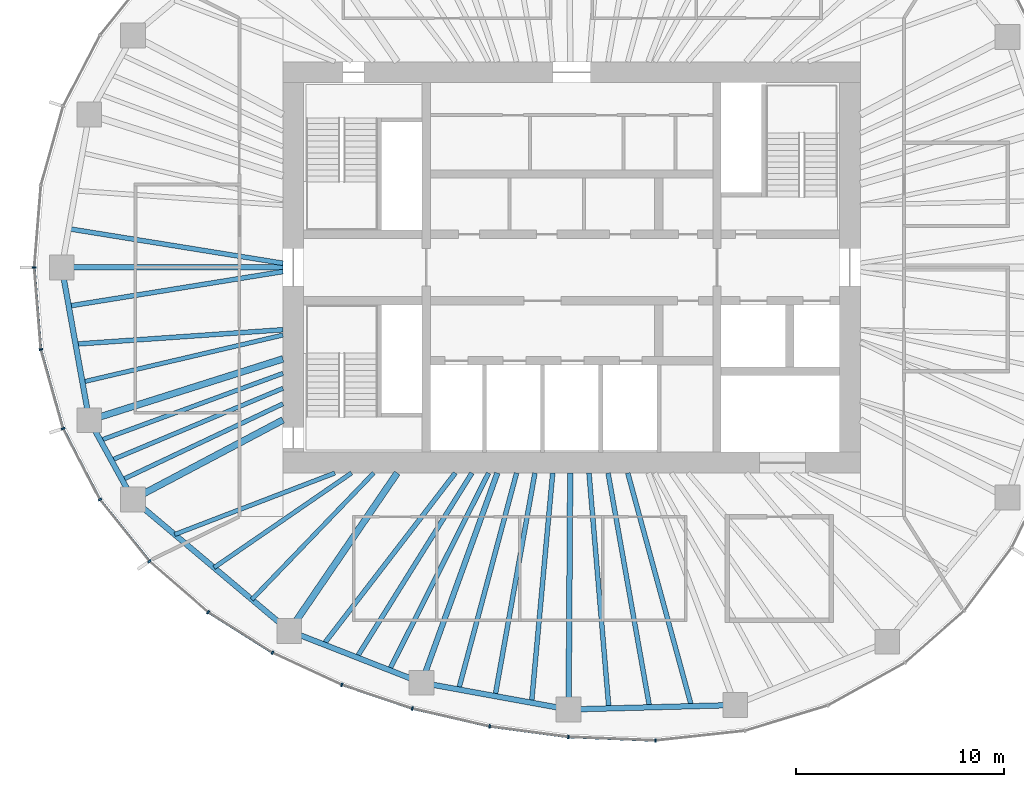
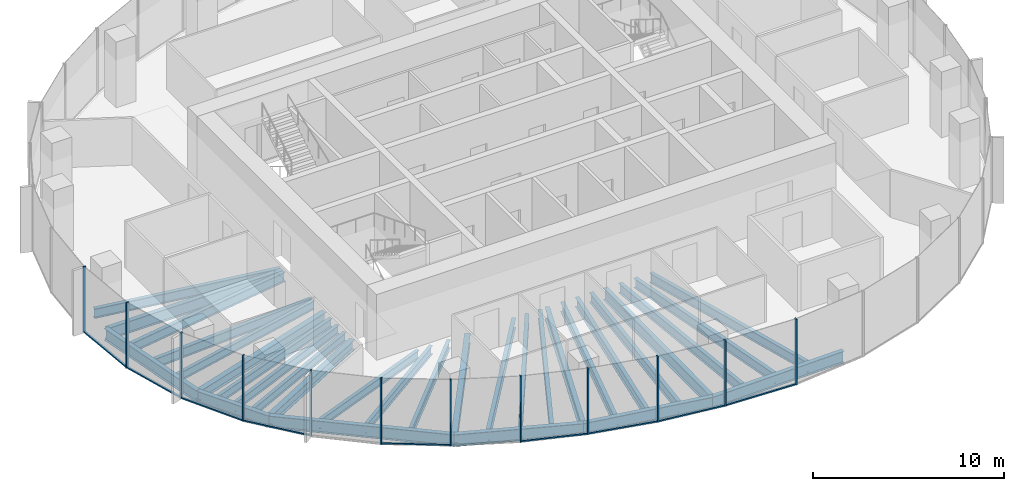
# One storey, part 2 of 11: 31 beams, 21 members, 6 elements without a shape of their own.
"""IFC4 building model written with IfcOpenShell, lengths in metres."""

from ifc_helpers import new_model, si_unit, direction, frame, origin, origin_2d, place, context, subcontext, project, spatial, rectangle, i_section, extrude, material, material_profile, profile_set, type_object, element, aggregate, save


model = new_model("IFC4")

# Units and contexts
model_context = context("Model", 3, precision=1e-05, world=origin(), true_north=direction((0.0, 1.0)))
body_context = subcontext(model_context, "Body", "Model", "MODEL_VIEW")
ifc_project = project(units=[si_unit("LENGTHUNIT", "METRE"), si_unit("AREAUNIT", "SQUARE_METRE"), si_unit("VOLUMEUNIT", "CUBIC_METRE"), si_unit("PLANEANGLEUNIT", "RADIAN"), si_unit("MASSUNIT", "GRAM", prefix="KILO")], contexts=[model_context])

# Site, building, storey
site_placement = place(None, origin())
site = spatial("IfcSite", under=ifc_project, at=site_placement, CompositionType="ELEMENT")
building_placement = place(site_placement, origin())
building = spatial("IfcBuilding", under=site, at=building_placement, Name="Ghaith Harvest Tower", CompositionType="ELEMENT")
storey_placement = place(building_placement, frame((0.0, 0.0, 275.39990234375)))
storey = spatial("IfcBuildingStorey", under=building, at=storey_placement, Name="L61", CompositionType="ELEMENT", Elevation=275.39990234375)

# Curtain wall, members
ifc_material_1 = material(Name="Black anodised aluminium and fritted glass", Category="aluminium")
curtain_wall_type = type_object("IfcCurtainWallType", Name="CW-T CURTAIN WALL", PredefinedType="NOTDEFINED", material=ifc_material_1)
curtain_wall_1_placement = place(storey_placement, origin())
curtain_wall_1 = element("IfcCurtainWall", 1, at=curtain_wall_1_placement, inside=storey, type_object=curtain_wall_type, Name="Curtain wall CW-T bay 11 L61", PredefinedType="NOTDEFINED")
ifc_material_2 = material(Name="Aluminium, black anodised", Category="aluminium")
ifc_material_profile_1 = material_profile(ifc_material_2, rectangle(XDim=0.080078125, YDim=0.179931640625, at=origin_2d()), Name="CW-T MULLION 80x180")
ifc_profile_set_1 = profile_set([ifc_material_profile_1], Name="Aluminium, black anodised")
member_type_1 = type_object("IfcMemberType", Name="CW-T MULLION 80x180", PredefinedType="MULLION", material=ifc_profile_set_1)
member_1_placement = place(storey_placement, frame((-25.8701171875, 0.0, 0.0), z_axis=(0.0, 0.0, 1.0), x_axis=(-1.05e-10, -1.0, 0.0)))
member_1 = element("IfcMember", 2, at=member_1_placement, type_object=member_type_1, Name="CW-T mullion 1 bay 11 L61", PredefinedType="MULLION", context=body_context, shape_type="SweptSolid", body=[
    extrude(rectangle(XDim=0.080078125, YDim=0.179931640625, at=origin_2d()), origin(), (0.0, 0.0, 1.0), 4.2001953125),
])
member_2_placement = place(storey_placement, frame((-25.5517578125, -3.9521484375, 0.0), z_axis=(0.0, 0.0, 1.0), x_axis=(0.176001391003, -0.98438991785, 0.0)))
member_2 = element("IfcMember", 3, at=member_2_placement, type_object=member_type_1, Name="CW-T mullion 2 bay 11 L61", PredefinedType="MULLION", context=body_context, shape_type="SweptSolid", body=[
    extrude(rectangle(XDim=0.080078125, YDim=0.179931640625, at=origin_2d()), origin(), (0.0, 0.0, 1.0), 4.2001953125),
])

curtain_wall_2_placement = place(storey_placement, origin())
curtain_wall_2 = element("IfcCurtainWall", 4, at=curtain_wall_2_placement, inside=storey, type_object=curtain_wall_type, Name="Curtain wall CW-T bay 12 L61", PredefinedType="NOTDEFINED")
member_3_placement = place(storey_placement, frame((-24.482666015625, -7.759033203125, 0.0), z_axis=(0.0, 0.0, 1.0), x_axis=(0.366473104734, -0.930428645038, 0.0)))
member_3 = element("IfcMember", 5, at=member_3_placement, type_object=member_type_1, Name="CW-T mullion 1 bay 12 L61", PredefinedType="MULLION", context=body_context, shape_type="SweptSolid", body=[
    extrude(rectangle(XDim=0.080078125, YDim=0.179931640625, at=origin_2d()), origin(), (0.0, 0.0, 1.0), 4.2001953125),
])
member_4_placement = place(storey_placement, frame((-22.706298828125, -11.176513671875, 0.0), z_axis=(0.0, 0.0, 1.0), x_axis=(0.545865412431, -0.837872873121, 0.0)))
member_4 = element("IfcMember", 6, at=member_4_placement, type_object=member_type_1, Name="CW-T mullion 2 bay 12 L61", PredefinedType="MULLION", context=body_context, shape_type="SweptSolid", body=[
    extrude(rectangle(XDim=0.080078125, YDim=0.179931640625, at=origin_2d()), origin(), (0.0, 0.0, 1.0), 4.2001953125),
])

curtain_wall_3_placement = place(storey_placement, origin())
curtain_wall_3 = element("IfcCurtainWall", 7, at=curtain_wall_3_placement, inside=storey, type_object=curtain_wall_type, Name="Curtain wall CW-T bay 13 L61", PredefinedType="NOTDEFINED")
member_5_placement = place(storey_placement, frame((-20.324462890625, -14.141845703125, 0.0), z_axis=(0.0, 0.0, 1.0), x_axis=(0.692826491831, -0.721104328248, 0.0)))
member_5 = element("IfcMember", 8, at=member_5_placement, type_object=member_type_1, Name="CW-T mullion 1 bay 13 L61", PredefinedType="MULLION", context=body_context, shape_type="SweptSolid", body=[
    extrude(rectangle(XDim=0.080078125, YDim=0.179931640625, at=origin_2d()), origin(), (0.0, 0.0, 1.0), 4.2001953125),
])
member_6_placement = place(storey_placement, frame((-17.49462890625, -16.600830078125, 0.0), z_axis=(0.0, 0.0, 1.0), x_axis=(0.802189888845, -0.59706899286, 0.0)))
member_6 = element("IfcMember", 9, at=member_6_placement, type_object=member_type_1, Name="CW-T mullion 2 bay 13 L61", PredefinedType="MULLION", context=body_context, shape_type="SweptSolid", body=[
    extrude(rectangle(XDim=0.080078125, YDim=0.179931640625, at=origin_2d()), origin(), (0.0, 0.0, 1.0), 4.2001953125),
])

curtain_wall_4_placement = place(storey_placement, origin())
curtain_wall_4 = element("IfcCurtainWall", 10, at=curtain_wall_4_placement, inside=storey, type_object=curtain_wall_type, Name="Curtain wall CW-T bay 14 L61", PredefinedType="NOTDEFINED")
member_7_placement = place(storey_placement, frame((-14.40478515625, -18.5478515625, 0.0), z_axis=(0.0, 0.0, 1.0), x_axis=(0.878671732732, -0.477426419564, 0.0)))
member_7 = element("IfcMember", 11, at=member_7_placement, type_object=member_type_1, Name="CW-T mullion 1 bay 14 L61", PredefinedType="MULLION", context=body_context, shape_type="SweptSolid", body=[
    extrude(rectangle(XDim=0.080078125, YDim=0.179931640625, at=origin_2d()), origin(), (0.0, 0.0, 1.0), 4.2001953125),
])
member_8_placement = place(storey_placement, frame((-11.0673828125, -20.093017578125, 0.0), z_axis=(0.0, 0.0, 1.0), x_axis=(0.92862442092, -0.371021138038, 0.0)))
member_8 = element("IfcMember", 12, at=member_8_placement, type_object=member_type_1, Name="CW-T mullion 2 bay 14 L61", PredefinedType="MULLION", context=body_context, shape_type="SweptSolid", body=[
    extrude(rectangle(XDim=0.080078125, YDim=0.179931640625, at=origin_2d()), origin(), (0.0, 0.0, 1.0), 4.2001953125),
])

curtain_wall_5_placement = place(storey_placement, origin())
curtain_wall_5 = element("IfcCurtainWall", 13, at=curtain_wall_5_placement, inside=storey, type_object=curtain_wall_type, Name="Curtain wall CW-T bay 15 L61", PredefinedType="NOTDEFINED")
member_9_placement = place(storey_placement, frame((-7.6708984375, -21.23828125, 0.0), z_axis=(0.0, 0.0, 1.0), x_axis=(0.962552491659, -0.271095372151, 0.0)))
member_9 = element("IfcMember", 14, at=member_9_placement, type_object=member_type_1, Name="CW-T mullion 1 bay 15 L61", PredefinedType="MULLION", context=body_context, shape_type="SweptSolid", body=[
    extrude(rectangle(XDim=0.080078125, YDim=0.179931640625, at=origin_2d()), origin(), (0.0, 0.0, 1.0), 4.2001953125),
])
member_10_placement = place(storey_placement, frame((-3.946533203125, -22.0986328125, 0.0), z_axis=(0.0, 0.0, 1.0), x_axis=(0.983843447712, -0.179030920217, 0.0)))
member_10 = element("IfcMember", 15, at=member_10_placement, type_object=member_type_1, Name="CW-T mullion 2 bay 15 L61", PredefinedType="MULLION", context=body_context, shape_type="SweptSolid", body=[
    extrude(rectangle(XDim=0.080078125, YDim=0.179931640625, at=origin_2d()), origin(), (0.0, 0.0, 1.0), 4.2001953125),
])

curtain_wall_6_placement = place(storey_placement, origin())
curtain_wall_6 = element("IfcCurtainWall", 16, at=curtain_wall_6_placement, inside=storey, type_object=curtain_wall_type, Name="Curtain wall CW-T bay 16 L61", PredefinedType="NOTDEFINED")
member_11_placement = place(storey_placement, frame((-0.15478515625, -22.60595703125, 0.0), z_axis=(0.0, 0.0, 1.0), x_axis=(0.996414855524, -0.084601629366, 0.0)))
member_11 = element("IfcMember", 17, at=member_11_placement, type_object=member_type_1, Name="CW-T mullion 1 bay 16 L61", PredefinedType="MULLION", context=body_context, shape_type="SweptSolid", body=[
    extrude(rectangle(XDim=0.080078125, YDim=0.179931640625, at=origin_2d()), origin(), (0.0, 0.0, 1.0), 4.2001953125),
])
member_12_placement = place(storey_placement, frame((4.037841796875, -22.776611328125, 0.0), z_axis=(0.0, 0.0, 1.0), x_axis=(0.999388631241, 0.034962318939, 0.0)))
member_12 = element("IfcMember", 18, at=member_12_placement, type_object=member_type_1, Name="CW-T mullion 2 bay 16 L61", PredefinedType="MULLION", context=body_context, shape_type="SweptSolid", body=[
    extrude(rectangle(XDim=0.080078125, YDim=0.179931640625, at=origin_2d()), origin(), (0.0, 0.0, 1.0), 4.2001953125),
])

# Member
ifc_material_3 = material(Name="Aluminium, black anodised", Category="aluminium")
ifc_material_profile_2 = material_profile(ifc_material_3, rectangle(XDim=0.1201171875, YDim=0.080078125, at=origin_2d()), Name="CW-T TRANSOM 120x80")
ifc_profile_set_2 = profile_set([ifc_material_profile_2], Name="Aluminium, black anodised")
member_type_2 = type_object("IfcMemberType", Name="CW-T TRANSOM 120x80", PredefinedType="USERDEFINED", material=ifc_profile_set_2)
member_13_placement = place(storey_placement, frame((-25.86669921875, -0.039794921875, 0.0400390625), z_axis=(0.08025226314, -0.996774585481, 0.0), x_axis=(0.996774585481, 0.08025226314, 0.0)))
member_13 = element("IfcMember", 19, at=member_13_placement, type_object=member_type_2, Name="CW-T transom 1 bay 11 L61", ObjectType="TRANSOM", PredefinedType="USERDEFINED", context=body_context, shape_type="SweptSolid", body=[
    extrude(rectangle(XDim=0.1201171875, YDim=0.080078125, at=origin_2d()), origin(), (0.0, 0.0, 1.0), 3.884765625),
])

member_14_placement = place(storey_placement, frame((-25.541015625, -3.990478515625, 0.0400390625), z_axis=(0.270340422972, -0.962764797709, 0.0), x_axis=(0.962764797709, 0.270340422972, 0.0)))
member_14 = element("IfcMember", 20, at=member_14_placement, type_object=member_type_2, Name="CW-T transom 2 bay 11 L61", ObjectType="TRANSOM", PredefinedType="USERDEFINED", context=body_context, shape_type="SweptSolid", body=[
    extrude(rectangle(XDim=0.1201171875, YDim=0.080078125, at=origin_2d()), origin(), (0.0, 0.0, 1.0), 3.874267578125),
])

aggregate(curtain_wall_1, [member_1, member_13, member_2, member_14])

member_15_placement = place(storey_placement, frame((-24.46435546875, -7.79443359375, 0.0400390625), z_axis=(0.461242681347, -0.887274021317, 0.0), x_axis=(0.887274021317, 0.461242681347, 0.0)))
member_15 = element("IfcMember", 21, at=member_15_placement, type_object=member_type_2, Name="CW-T transom 1 bay 12 L61", ObjectType="TRANSOM", PredefinedType="USERDEFINED", context=body_context, shape_type="SweptSolid", body=[
    extrude(rectangle(XDim=0.1201171875, YDim=0.080078125, at=origin_2d()), origin(), (0.0, 0.0, 1.0), 3.77197265625),
])

member_16_placement = place(storey_placement, frame((-22.68115234375, -11.207763671875, 0.0400390625), z_axis=(0.626253073761, -0.779619835307, 0.0), x_axis=(0.779619835307, 0.626253073761, 0.0)))
member_16 = element("IfcMember", 22, at=member_16_placement, type_object=member_type_2, Name="CW-T transom 2 bay 12 L61", ObjectType="TRANSOM", PredefinedType="USERDEFINED", context=body_context, shape_type="SweptSolid", body=[
    extrude(rectangle(XDim=0.1201171875, YDim=0.080078125, at=origin_2d()), origin(), (0.0, 0.0, 1.0), 3.723388671875),
])

aggregate(curtain_wall_2, [member_3, member_15, member_4, member_16])

member_17_placement = place(storey_placement, frame((-17.4609375, -16.6220703125, 0.0400390625), z_axis=(0.846053602505, -0.533097835006, 0.0), x_axis=(0.533097835006, 0.846053602505, 0.0)))
member_17 = element("IfcMember", 23, at=member_17_placement, type_object=member_type_2, Name="CW-T transom 2 bay 13 L61", ObjectType="TRANSOM", PredefinedType="USERDEFINED", context=body_context, shape_type="SweptSolid", body=[
    extrude(rectangle(XDim=0.1201171875, YDim=0.080078125, at=origin_2d()), origin(), (0.0, 0.0, 1.0), 3.572021484375),
])

aggregate(curtain_wall_3, [member_5, member_6, member_17])

member_18_placement = place(storey_placement, frame((-11.029541015625, -20.105712890625, 0.0400390625), z_axis=(0.9475698206, -0.319548799228, 0.0), x_axis=(0.319548799228, 0.9475698206, 0.0)))
member_18 = element("IfcMember", 24, at=member_18_placement, type_object=member_type_2, Name="CW-T transom 2 bay 14 L61", ObjectType="TRANSOM", PredefinedType="USERDEFINED", context=body_context, shape_type="SweptSolid", body=[
    extrude(rectangle(XDim=0.1201171875, YDim=0.080078125, at=origin_2d()), origin(), (0.0, 0.0, 1.0), 3.504638671875),
])

aggregate(curtain_wall_4, [member_7, member_8, member_18])

member_19_placement = place(storey_placement, frame((-7.6318359375, -21.247314453125, 0.0400390625), z_axis=(0.974344997799, -0.225059603803, 0.0), x_axis=(0.225059603803, 0.974344997799, 0.0)))
member_19 = element("IfcMember", 25, at=member_19_placement, type_object=member_type_2, Name="CW-T transom 1 bay 15 L61", ObjectType="TRANSOM", PredefinedType="USERDEFINED", context=body_context, shape_type="SweptSolid", body=[
    extrude(rectangle(XDim=0.1201171875, YDim=0.080078125, at=origin_2d()), origin(), (0.0, 0.0, 1.0), 3.742431640625),
])

member_20_placement = place(storey_placement, frame((-3.90673828125, -22.10400390625, 0.0400390625), z_axis=(0.99117202259, -0.132582131655, 0.0), x_axis=(0.132582131655, 0.99117202259, 0.0)))
member_20 = element("IfcMember", 26, at=member_20_placement, type_object=member_type_2, Name="CW-T transom 2 bay 15 L61", ObjectType="TRANSOM", PredefinedType="USERDEFINED", context=body_context, shape_type="SweptSolid", body=[
    extrude(rectangle(XDim=0.1201171875, YDim=0.080078125, at=origin_2d()), origin(), (0.0, 0.0, 1.0), 3.745361328125),
])

aggregate(curtain_wall_5, [member_9, member_19, member_10, member_20])

member_21_placement = place(storey_placement, frame((-0.11474609375, -22.607666015625, 0.0400390625), z_axis=(0.999174207562, -0.040631304968, 0.0), x_axis=(0.040631304968, 0.999174207562, 0.0)))
member_21 = element("IfcMember", 27, at=member_21_placement, type_object=member_type_2, Name="CW-T transom 1 bay 16 L61", ObjectType="TRANSOM", PredefinedType="USERDEFINED", context=body_context, shape_type="SweptSolid", body=[
    extrude(rectangle(XDim=0.1201171875, YDim=0.080078125, at=origin_2d()), origin(), (0.0, 0.0, 1.0), 4.115966796875),
])

aggregate(curtain_wall_6, [member_11, member_21, member_12])

# Beams
ifc_material_4 = material(Name="Steel ASTM A992 Grade 50", Category="steel")
ifc_material_profile_3 = material_profile(ifc_material_4, i_section(OverallWidth=0.26611328125, OverallDepth=0.758056640625, WebThickness=0.013916015625, FlangeThickness=0.019287109375, at=origin_2d()), Name="W760X161")
ifc_profile_set_3 = profile_set([ifc_material_profile_3], Name="Steel ASTM A992 Grade 50")
beam_type_1 = type_object("IfcBeamType", Name="E760-161 W760X161", PredefinedType="SPANDREL", material=ifc_profile_set_3)
beam_1_placement = place(storey_placement, frame((-24.550048828125, 0.0, -0.548828125), z_axis=(0.177296554745, -0.984157473007, 0.0), x_axis=(0.984157473007, 0.177296554745, 0.0)))
element("IfcBeam", 28, at=beam_1_placement, inside=storey, type_object=beam_type_1, Name="Edge beam E11 L61", PredefinedType="SPANDREL", context=body_context, shape_type="SweptSolid", body=[
    extrude(i_section(OverallWidth=0.26611328125, OverallDepth=0.758056640625, WebThickness=0.013916015625, FlangeThickness=0.019287109375, at=origin_2d()), origin(), (0.0, 0.0, 1.0), 7.478515625),
])
beam_2_placement = place(storey_placement, frame((-23.22412109375, -7.360107421875, -0.548828125), z_axis=(0.482955575345, -0.875644855089, 0.0), x_axis=(0.875644855089, 0.482955575345, 0.0)))
element("IfcBeam", 29, at=beam_2_placement, inside=storey, type_object=beam_type_1, Name="Edge beam E12 L61", PredefinedType="SPANDREL", context=body_context, shape_type="SweptSolid", body=[
    extrude(i_section(OverallWidth=0.26611328125, OverallDepth=0.758056640625, WebThickness=0.013916015625, FlangeThickness=0.019287109375, at=origin_2d()), origin(), (0.0, 0.0, 1.0), 4.346435546875),
])
beam_3_placement = place(storey_placement, frame((-21.125, -11.166015625, -0.548828125), z_axis=(0.765021818761, -0.64400436087, 0.0), x_axis=(0.64400436087, 0.765021818761, 0.0)))
element("IfcBeam", 30, at=beam_3_placement, inside=storey, type_object=beam_type_1, Name="Edge beam E13 L61", PredefinedType="SPANDREL", context=body_context, shape_type="SweptSolid", body=[
    extrude(i_section(OverallWidth=0.26611328125, OverallDepth=0.758056640625, WebThickness=0.013916015625, FlangeThickness=0.019287109375, at=origin_2d()), origin(), (0.0, 0.0, 1.0), 9.8427734375),
])
beam_4_placement = place(storey_placement, frame((-13.594970703125, -17.5048828125, -0.548828125), z_axis=(0.931322768207, -0.364194867371, 0.0), x_axis=(0.364194867371, 0.931322768207, 0.0)))
element("IfcBeam", 31, at=beam_4_placement, inside=storey, type_object=beam_type_1, Name="Edge beam E14 L61", PredefinedType="SPANDREL", context=body_context, shape_type="SweptSolid", body=[
    extrude(i_section(OverallWidth=0.26611328125, OverallDepth=0.758056640625, WebThickness=0.013916015625, FlangeThickness=0.019287109375, at=origin_2d()), origin(), (0.0, 0.0, 1.0), 6.843017578125),
])
beam_5_placement = place(storey_placement, frame((-7.221923828125, -19.9970703125, -0.548828125), z_axis=(0.983813921429, -0.179193102551, 0.0), x_axis=(0.179193102551, 0.983813921429, 0.0)))
element("IfcBeam", 32, at=beam_5_placement, inside=storey, type_object=beam_type_1, Name="Edge beam E15 L61", PredefinedType="SPANDREL", context=body_context, shape_type="SweptSolid", body=[
    extrude(i_section(OverallWidth=0.26611328125, OverallDepth=0.758056640625, WebThickness=0.013916015625, FlangeThickness=0.019287109375, at=origin_2d()), origin(), (0.0, 0.0, 1.0), 7.1923828125),
])
beam_6_placement = place(storey_placement, frame((-0.14599609375, -21.285888671875, -0.548828125), z_axis=(0.999644979696, 0.02664422206, 0.0), x_axis=(-0.02664422206, 0.999644979696, 0.0)))
element("IfcBeam", 33, at=beam_6_placement, inside=storey, type_object=beam_type_1, Name="Edge beam E16 L61", PredefinedType="SPANDREL", context=body_context, shape_type="SweptSolid", body=[
    extrude(i_section(OverallWidth=0.26611328125, OverallDepth=0.758056640625, WebThickness=0.013916015625, FlangeThickness=0.019287109375, at=origin_2d()), origin(), (0.0, 0.0, 1.0), 8.02685546875),
])
ifc_material_5 = material(Name="Steel ASTM A992 Grade 50", Category="steel")
ifc_material_profile_4 = material_profile(ifc_material_5, i_section(OverallWidth=0.323974609375, OverallDepth=0.611083984375, WebThickness=0.0126953125, FlangeThickness=0.01904296875, at=origin_2d()), Name="W610X155")
ifc_profile_set_4 = profile_set([ifc_material_profile_4], Name="Steel ASTM A992 Grade 50")
beam_type_2 = type_object("IfcBeamType", Name="G610-155 W610X155", PredefinedType="BEAM", material=ifc_profile_set_4)
beam_7_placement = place(storey_placement, frame((-13.89990234375, -4.4052734375, -0.475341796875), z_axis=(-0.953278508772, -0.302092841215, 0.0), x_axis=(0.302092841215, -0.953278508772, 0.0)))
element("IfcBeam", 34, at=beam_7_placement, inside=storey, type_object=beam_type_2, Name="Radial girder G12 L61", PredefinedType="BEAM", context=body_context, shape_type="SweptSolid", body=[
    extrude(i_section(OverallWidth=0.323974609375, OverallDepth=0.611083984375, WebThickness=0.0126953125, FlangeThickness=0.01904296875, at=origin_2d()), origin(), (0.0, 0.0, 1.0), 9.78125),
])
beam_8_placement = place(storey_placement, frame((-13.89990234375, -7.34716796875, -0.475341796875), z_axis=(-0.88410164037, -0.467294649546, 0.0), x_axis=(0.467294649546, -0.88410164037, 0.0)))
element("IfcBeam", 35, at=beam_8_placement, inside=storey, type_object=beam_type_2, Name="Radial girder G13 L61", PredefinedType="BEAM", context=body_context, shape_type="SweptSolid", body=[
    extrude(i_section(OverallWidth=0.323974609375, OverallDepth=0.611083984375, WebThickness=0.0126953125, FlangeThickness=0.01904296875, at=origin_2d()), origin(), (0.0, 0.0, 1.0), 8.17236328125),
])
beam_9_placement = place(storey_placement, frame((-8.39990234375, -9.89990234375, -0.475341796875), z_axis=(-0.564067018201, -0.825729010619, 0.0), x_axis=(0.825729010619, -0.564067018201, 0.0)))
element("IfcBeam", 36, at=beam_9_placement, inside=storey, type_object=beam_type_2, Name="Radial girder G14 L61", PredefinedType="BEAM", context=body_context, shape_type="SweptSolid", body=[
    extrude(i_section(OverallWidth=0.323974609375, OverallDepth=0.611083984375, WebThickness=0.0126953125, FlangeThickness=0.01904296875, at=origin_2d()), origin(), (0.0, 0.0, 1.0), 9.2099609375),
])
ifc_material_6 = material(Name="Steel ASTM A992 Grade 50", Category="steel")
ifc_material_profile_5 = material_profile(ifc_material_6, i_section(OverallWidth=0.26611328125, OverallDepth=0.758056640625, WebThickness=0.013916015625, FlangeThickness=0.019287109375, at=origin_2d()), Name="W760X161")
ifc_profile_set_5 = profile_set([ifc_material_profile_5], Name="Steel ASTM A992 Grade 50")
beam_type_3 = type_object("IfcBeamType", Name="G760-161 W760X161", PredefinedType="BEAM", material=ifc_profile_set_5)
beam_10_placement = place(storey_placement, frame((-13.89990234375, 0.0, -0.548828125), z_axis=(-1.0, 0.0, 0.0), x_axis=(0.0, -1.0, 0.0)))
element("IfcBeam", 37, at=beam_10_placement, inside=storey, type_object=beam_type_3, Name="Radial girder G11 L61", PredefinedType="BEAM", context=body_context, shape_type="SweptSolid", body=[
    extrude(i_section(OverallWidth=0.26611328125, OverallDepth=0.758056640625, WebThickness=0.013916015625, FlangeThickness=0.019287109375, at=origin_2d()), origin(), (0.0, 0.0, 1.0), 10.650146484375),
])
beam_11_placement = place(storey_placement, frame((-3.57568359375, -9.89990234375, -0.548828125), z_axis=(-0.339647816823, -0.940552688863, 0.0), x_axis=(0.940552688863, -0.339647816823, 0.0)))
element("IfcBeam", 38, at=beam_11_placement, inside=storey, type_object=beam_type_3, Name="Radial girder G15 L61", PredefinedType="BEAM", context=body_context, shape_type="SweptSolid", body=[
    extrude(i_section(OverallWidth=0.26611328125, OverallDepth=0.758056640625, WebThickness=0.013916015625, FlangeThickness=0.019287109375, at=origin_2d()), origin(), (0.0, 0.0, 1.0), 10.7353515625),
])
beam_12_placement = place(storey_placement, frame((-0.06787109375, -9.89990234375, -0.548828125), z_axis=(-0.006861343299, -0.999976460707, 0.0), x_axis=(0.999976460707, -0.006861343299, 0.0)))
element("IfcBeam", 39, at=beam_12_placement, inside=storey, type_object=beam_type_3, Name="Radial girder G16 L61", PredefinedType="BEAM", context=body_context, shape_type="SweptSolid", body=[
    extrude(i_section(OverallWidth=0.26611328125, OverallDepth=0.758056640625, WebThickness=0.013916015625, FlangeThickness=0.019287109375, at=origin_2d()), origin(), (0.0, 0.0, 1.0), 11.38623046875),
])
ifc_material_7 = material(Name="Steel ASTM A992 Grade 50", Category="steel")
ifc_material_profile_6 = material_profile(ifc_material_7, i_section(OverallWidth=0.2109375, OverallDepth=0.5390625, WebThickness=0.01171875, FlangeThickness=0.018798828125, at=origin_2d()), Name="W530X109")
ifc_profile_set_6 = profile_set([ifc_material_profile_6], Name="Steel ASTM A992 Grade 50")
beam_type_4 = type_object("IfcBeamType", Name="J530-109 W530X109", PredefinedType="JOIST", material=ifc_profile_set_6)
beam_13_placement = place(storey_placement, frame((-13.89990234375, -3.257080078125, -0.439453125), z_axis=(-0.973623403271, -0.228161058472, 0.0), x_axis=(0.228161058472, -0.973623403271, 0.0)))
element("IfcBeam", 40, at=beam_13_placement, inside=storey, type_object=beam_type_4, Name="Joist J11.3 L61", PredefinedType="JOIST", context=body_context, shape_type="SweptSolid", body=[
    extrude(i_section(OverallWidth=0.2109375, OverallDepth=0.5390625, WebThickness=0.01171875, FlangeThickness=0.018798828125, at=origin_2d()), origin(), (0.0, 0.0, 1.0), 9.9169921875),
])
beam_14_placement = place(storey_placement, frame((-13.89990234375, -5.101318359375, -0.439453125), z_axis=(-0.938776837502, -0.34452583266, 0.0), x_axis=(0.34452583266, -0.938776837502, 0.0)))
element("IfcBeam", 41, at=beam_14_placement, inside=storey, type_object=beam_type_4, Name="Joist J12.1 L61", PredefinedType="JOIST", context=body_context, shape_type="SweptSolid", body=[
    extrude(i_section(OverallWidth=0.2109375, OverallDepth=0.5390625, WebThickness=0.01171875, FlangeThickness=0.018798828125, at=origin_2d()), origin(), (0.0, 0.0, 1.0), 9.36376953125),
])
beam_15_placement = place(storey_placement, frame((-13.89990234375, -5.82080078125, -0.439453125), z_axis=(-0.922394258818, -0.38624970071, 0.0), x_axis=(0.38624970071, -0.922394258818, 0.0)))
element("IfcBeam", 42, at=beam_15_placement, inside=storey, type_object=beam_type_4, Name="Joist J12.2 L61", PredefinedType="JOIST", context=body_context, shape_type="SweptSolid", body=[
    extrude(i_section(OverallWidth=0.2109375, OverallDepth=0.5390625, WebThickness=0.01171875, FlangeThickness=0.018798828125, at=origin_2d()), origin(), (0.0, 0.0, 1.0), 8.959716796875),
])
beam_16_placement = place(storey_placement, frame((-13.89990234375, -6.56787109375, -0.439453125), z_axis=(-0.904165769726, -0.427181765594, 0.0), x_axis=(0.427181765594, -0.904165769726, 0.0)))
element("IfcBeam", 43, at=beam_16_placement, inside=storey, type_object=beam_type_4, Name="Joist J12.3 L61", PredefinedType="JOIST", context=body_context, shape_type="SweptSolid", body=[
    extrude(i_section(OverallWidth=0.2109375, OverallDepth=0.5390625, WebThickness=0.01171875, FlangeThickness=0.018798828125, at=origin_2d()), origin(), (0.0, 0.0, 1.0), 8.564208984375),
])
beam_17_placement = place(storey_placement, frame((-11.39990234375, -9.89990234375, -0.439453125), z_axis=(-0.933583045329, -0.358361127181, 0.0), x_axis=(0.358361127181, -0.933583045329, 0.0)))
element("IfcBeam", 44, at=beam_17_placement, inside=storey, type_object=beam_type_4, Name="Joist J13.1 L61", PredefinedType="JOIST", context=body_context, shape_type="SweptSolid", body=[
    extrude(i_section(OverallWidth=0.2109375, OverallDepth=0.5390625, WebThickness=0.01171875, FlangeThickness=0.018798828125, at=origin_2d()), origin(), (0.0, 0.0, 1.0), 8.260986328125),
])
beam_18_placement = place(storey_placement, frame((-10.60009765625, -9.89990234375, -0.439453125), z_axis=(-0.823778502511, -0.566911791023, 0.0), x_axis=(0.566911791023, -0.823778502511, 0.0)))
element("IfcBeam", 45, at=beam_18_placement, inside=storey, type_object=beam_type_4, Name="Joist J13.2 L61", PredefinedType="JOIST", context=body_context, shape_type="SweptSolid", body=[
    extrude(i_section(OverallWidth=0.2109375, OverallDepth=0.5390625, WebThickness=0.01171875, FlangeThickness=0.018798828125, at=origin_2d()), origin(), (0.0, 0.0, 1.0), 8.0341796875),
])
beam_19_placement = place(storey_placement, frame((-9.530517578125, -9.89990234375, -0.439453125), z_axis=(-0.693536238632, -0.720421741554, 0.0), x_axis=(0.720421741554, -0.693536238632, 0.0)))
element("IfcBeam", 46, at=beam_19_placement, inside=storey, type_object=beam_type_4, Name="Joist J13.3 L61", PredefinedType="JOIST", context=body_context, shape_type="SweptSolid", body=[
    extrude(i_section(OverallWidth=0.2109375, OverallDepth=0.5390625, WebThickness=0.01171875, FlangeThickness=0.018798828125, at=origin_2d()), origin(), (0.0, 0.0, 1.0), 8.4541015625),
])
ifc_material_8 = material(Name="Steel ASTM A992 Grade 50", Category="steel")
ifc_material_profile_7 = material_profile(ifc_material_8, i_section(OverallWidth=0.22998046875, OverallDepth=0.616943359375, WebThickness=0.01318359375, FlangeThickness=0.022216796875, at=origin_2d()), Name="W610X140")
ifc_profile_set_7 = profile_set([ifc_material_profile_7], Name="Steel ASTM A992 Grade 50")
beam_type_5 = type_object("IfcBeamType", Name="J610-140 W610X140", PredefinedType="JOIST", material=ifc_profile_set_7)
for number, where, z_axis, x_axis, name in (
    (47, (-13.89990234375, 0.199951171875, -0.478515625), (-0.987271793524, 0.159042150743, 0.0), (-0.159042150743, -0.987271793524, 0.0), "Joist J10.3 L61"),
    (48, (-13.89990234375, -0.199951171875, -0.478515625), (-0.987271793524, -0.159042150743, 0.0), (0.159042150743, -0.987271793524, 0.0), "Joist J11.1 L61"),
):
    element("IfcBeam", number, at=place(storey_placement, frame(where, z_axis=z_axis, x_axis=x_axis)), inside=storey, type_object=beam_type_5, Name=name, PredefinedType="JOIST", context=body_context, shape_type="SweptSolid", body=[
        extrude(i_section(OverallWidth=0.22998046875, OverallDepth=0.616943359375, WebThickness=0.01318359375, FlangeThickness=0.022216796875, at=origin_2d()), origin(), (0.0, 0.0, 1.0), 10.44775390625),
    ])
beam_20_placement = place(storey_placement, frame((-13.89990234375, -3.0, -0.478515625), z_axis=(-0.997592478057, -0.069348739886, 0.0), x_axis=(0.069348739886, -0.997592478057, 0.0)))
element("IfcBeam", 49, at=beam_20_placement, inside=storey, type_object=beam_type_5, Name="Joist J11.2 L61", PredefinedType="JOIST", context=body_context, shape_type="SweptSolid", body=[
    extrude(i_section(OverallWidth=0.22998046875, OverallDepth=0.616943359375, WebThickness=0.01318359375, FlangeThickness=0.022216796875, at=origin_2d()), origin(), (0.0, 0.0, 1.0), 10.0087890625),
])
beam_21_placement = place(storey_placement, frame((-5.60009765625, -9.89990234375, -0.478515625), z_axis=(-0.609353577926, -0.792898617144, 0.0), x_axis=(0.792898617144, -0.609353577926, 0.0)))
element("IfcBeam", 50, at=beam_21_placement, inside=storey, type_object=beam_type_5, Name="Joist J14.1 L61", PredefinedType="JOIST", context=body_context, shape_type="SweptSolid", body=[
    extrude(i_section(OverallWidth=0.22998046875, OverallDepth=0.616943359375, WebThickness=0.01318359375, FlangeThickness=0.022216796875, at=origin_2d()), origin(), (0.0, 0.0, 1.0), 10.406982421875),
])
beam_22_placement = place(storey_placement, frame((-4.800048828125, -9.89990234375, -0.478515625), z_axis=(-0.529596254905, -0.848249849273, 0.0), x_axis=(0.848249849273, -0.529596254905, 0.0)))
element("IfcBeam", 51, at=beam_22_placement, inside=storey, type_object=beam_type_5, Name="Joist J14.2 L61", PredefinedType="JOIST", context=body_context, shape_type="SweptSolid", body=[
    extrude(i_section(OverallWidth=0.22998046875, OverallDepth=0.616943359375, WebThickness=0.01318359375, FlangeThickness=0.022216796875, at=origin_2d()), origin(), (0.0, 0.0, 1.0), 10.465087890625),
])
beam_23_placement = place(storey_placement, frame((-4.0, -9.89990234375, -0.478515625), z_axis=(-0.449556131123, -0.893252083664, 0.0), x_axis=(0.893252083664, -0.449556131123, 0.0)))
element("IfcBeam", 52, at=beam_23_placement, inside=storey, type_object=beam_type_5, Name="Joist J14.3 L61", PredefinedType="JOIST", context=body_context, shape_type="SweptSolid", body=[
    extrude(i_section(OverallWidth=0.22998046875, OverallDepth=0.616943359375, WebThickness=0.01318359375, FlangeThickness=0.022216796875, at=origin_2d()), origin(), (0.0, 0.0, 1.0), 10.62353515625),
])
beam_24_placement = place(storey_placement, frame((-2.651123046875, -9.89990234375, -0.478515625), z_axis=(-0.258678019609, -0.965963602923, 0.0), x_axis=(0.965963602923, -0.258678019609, 0.0)))
element("IfcBeam", 53, at=beam_24_placement, inside=storey, type_object=beam_type_5, Name="Joist J15.1 L61", PredefinedType="JOIST", context=body_context, shape_type="SweptSolid", body=[
    extrude(i_section(OverallWidth=0.22998046875, OverallDepth=0.616943359375, WebThickness=0.01318359375, FlangeThickness=0.022216796875, at=origin_2d()), origin(), (0.0, 0.0, 1.0), 10.78857421875),
])
beam_25_placement = place(storey_placement, frame((-1.76806640625, -9.89990234375, -0.478515625), z_axis=(-0.175803029262, -0.984425362789, 0.0), x_axis=(0.984425362789, -0.175803029262, 0.0)))
element("IfcBeam", 54, at=beam_25_placement, inside=storey, type_object=beam_type_5, Name="Joist J15.2 L61", PredefinedType="JOIST", context=body_context, shape_type="SweptSolid", body=[
    extrude(i_section(OverallWidth=0.22998046875, OverallDepth=0.616943359375, WebThickness=0.01318359375, FlangeThickness=0.022216796875, at=origin_2d()), origin(), (0.0, 0.0, 1.0), 10.9111328125),
])
beam_26_placement = place(storey_placement, frame((-0.9111328125, -9.89990234375, -0.478515625), z_axis=(-0.091651380942, -0.995791154998, 0.0), x_axis=(0.995791154998, -0.091651380942, 0.0)))
element("IfcBeam", 55, at=beam_26_placement, inside=storey, type_object=beam_type_5, Name="Joist J15.3 L61", PredefinedType="JOIST", context=body_context, shape_type="SweptSolid", body=[
    extrude(i_section(OverallWidth=0.22998046875, OverallDepth=0.616943359375, WebThickness=0.01318359375, FlangeThickness=0.022216796875, at=origin_2d()), origin(), (0.0, 0.0, 1.0), 11.10791015625),
])
beam_27_placement = place(storey_placement, frame((0.836669921875, -9.89990234375, -0.478515625), z_axis=(0.084201795166, -0.996448723061, 0.0), x_axis=(0.996448723061, 0.084201795166, 0.0)))
element("IfcBeam", 56, at=beam_27_placement, inside=storey, type_object=beam_type_5, Name="Joist J16.1 L61", PredefinedType="JOIST", context=body_context, shape_type="SweptSolid", body=[
    extrude(i_section(OverallWidth=0.22998046875, OverallDepth=0.616943359375, WebThickness=0.01318359375, FlangeThickness=0.022216796875, at=origin_2d()), origin(), (0.0, 0.0, 1.0), 11.37451171875),
])
beam_28_placement = place(storey_placement, frame((1.7548828125, -9.89990234375, -0.478515625), z_axis=(0.174572943493, -0.98464424408, 0.0), x_axis=(0.98464424408, 0.174572943493, 0.0)))
element("IfcBeam", 57, at=beam_28_placement, inside=storey, type_object=beam_type_5, Name="Joist J16.2 L61", PredefinedType="JOIST", context=body_context, shape_type="SweptSolid", body=[
    extrude(i_section(OverallWidth=0.22998046875, OverallDepth=0.616943359375, WebThickness=0.01318359375, FlangeThickness=0.022216796875, at=origin_2d()), origin(), (0.0, 0.0, 1.0), 11.4580078125),
])
beam_29_placement = place(storey_placement, frame((2.70361328125, -9.89990234375, -0.478515625), z_axis=(0.263468802698, -0.964667916956, 0.0), x_axis=(0.964667916956, 0.263468802698, 0.0)))
element("IfcBeam", 58, at=beam_29_placement, inside=storey, type_object=beam_type_5, Name="Joist J16.3 L61", PredefinedType="JOIST", context=body_context, shape_type="SweptSolid", body=[
    extrude(i_section(OverallWidth=0.22998046875, OverallDepth=0.616943359375, WebThickness=0.01318359375, FlangeThickness=0.022216796875, at=origin_2d()), origin(), (0.0, 0.0, 1.0), 11.639404296875),
])

save(model, "model.ifc")
